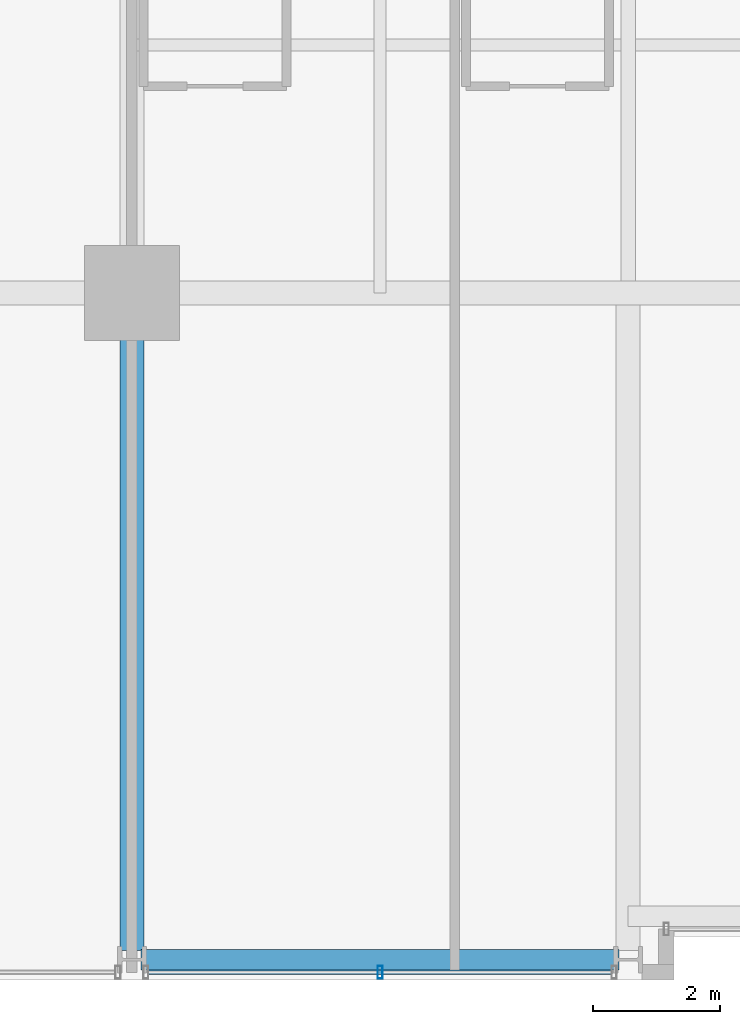
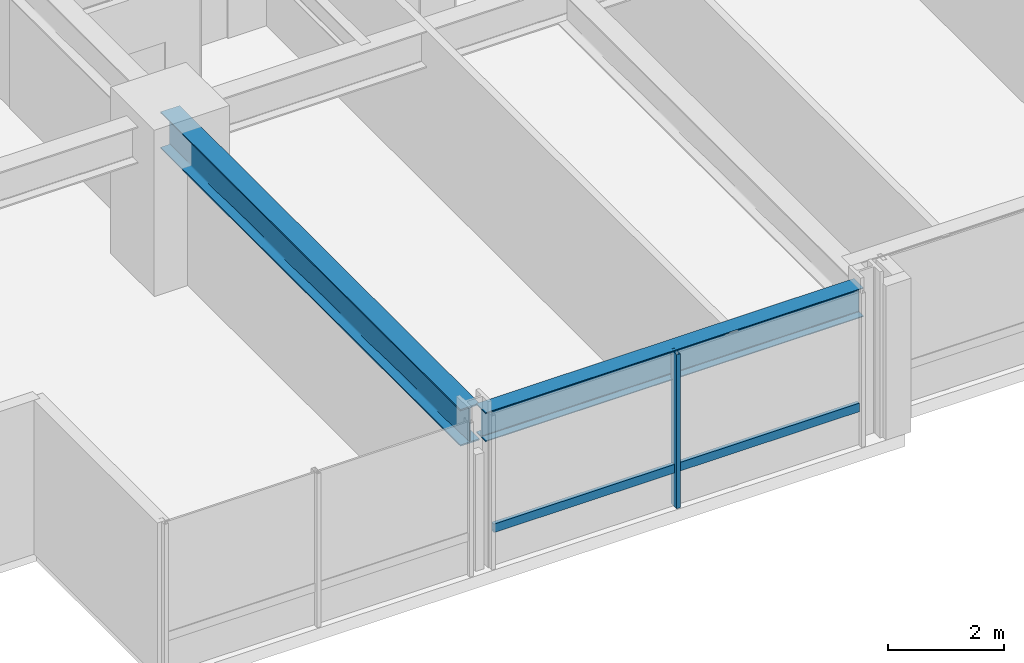
# One storey, part 3 of 35: 2 beams, 2 members, 1 element without a shape of its own.
"""IFC4 building model written with IfcOpenShell, lengths in metres."""

from ifc_helpers import new_model, si_unit, direction, frame, origin, origin_2d, place, context, subcontext, project, spatial, hollow_rectangle, i_section, extrude, material, layer, layer_set, material_profile, profile_set, type_object, element, aggregate, save


model = new_model("IFC4")

# Units and contexts
model_context = context("Model", 3, precision=1e-05, world=origin(), true_north=direction((0.0, 1.0)))
body_context = subcontext(model_context, "Body", "Model", "MODEL_VIEW")
ifc_project = project(units=[si_unit("LENGTHUNIT", "METRE"), si_unit("AREAUNIT", "SQUARE_METRE"), si_unit("VOLUMEUNIT", "CUBIC_METRE"), si_unit("PLANEANGLEUNIT", "RADIAN"), si_unit("MASSUNIT", "GRAM", prefix="KILO")], contexts=[model_context])

# Site, building, storey
site_placement = place(None, origin())
site = spatial("IfcSite", under=ifc_project, at=site_placement, CompositionType="ELEMENT")
building_placement = place(site_placement, origin())
building = spatial("IfcBuilding", under=site, at=building_placement, Name="Drelvath Grand Hotel", CompositionType="ELEMENT")
storey_placement = place(building_placement, frame((0.0, 0.0, 98.800048828125)))
storey = spatial("IfcBuildingStorey", under=building, at=storey_placement, Name="L24", CompositionType="ELEMENT", Elevation=98.800048828125)

# Curtain wall, members
ifc_material_1 = material(Name="Champagne Bronze Anodised Aluminium Frame", Category="aluminium")
ifc_layer = layer(ifc_material_1, 0.199951171875)
ifc_layer_set = layer_set([ifc_layer], Name="Champagne Bronze Anodised Aluminium Frame")
curtain_wall_type = type_object("IfcCurtainWallType", Name="Stick Curtain Wall CW-03 Champagne Bronze Mid-Rise", PredefinedType="NOTDEFINED", material=ifc_layer_set)
curtain_wall_placement = place(storey_placement, origin())
curtain_wall = element("IfcCurtainWall", 1, at=curtain_wall_placement, inside=storey, type_object=curtain_wall_type, Name="L24 CW-03 Curtain Wall CW03-L24-SW2", PredefinedType="NOTDEFINED")
ifc_material_profile_1 = material_profile(ifc_material_1, hollow_rectangle(XDim=0.074951171875, YDim=0.179931640625, WallThickness=0.0048828125, at=origin_2d()), Name="HSS180X75X5")
ifc_profile_set_1 = profile_set([ifc_material_profile_1], Name="Champagne Bronze Anodised Aluminium Frame")
member_type_1 = type_object("IfcMemberType", Name="Curtain Wall Horizontal Transom CW-03 HSS180X75X5", PredefinedType="USERDEFINED", material=ifc_profile_set_1)
member_1_placement = place(storey_placement, frame((-8.65966796875, 0.1201171875, 0.81005859375), z_axis=(-1.0, 0.0, 0.0), x_axis=(0.0, -1.0, 0.0)))
member_1 = element("IfcMember", 2, at=member_1_placement, type_object=member_type_1, Name="CW03-L24-SW2 Sill Transom", ObjectType="TRANSOM", PredefinedType="USERDEFINED", context=body_context, shape_type="SweptSolid", body=[
    extrude(hollow_rectangle(XDim=0.074951171875, YDim=0.179931640625, WallThickness=0.0048828125, at=origin_2d()), origin(), (0.0, 0.0, 1.0), 7.28076171875),
])
ifc_material_profile_2 = material_profile(ifc_material_1, hollow_rectangle(XDim=0.080078125, YDim=0.199951171875, WallThickness=0.0048828125, at=origin_2d()), Name="HSS200X80X5")
ifc_profile_set_2 = profile_set([ifc_material_profile_2], Name="Champagne Bronze Anodised Aluminium Frame")
member_type_2 = type_object("IfcMemberType", Name="Curtain Wall Vertical Mullion CW-03 HSS200X80X5", PredefinedType="MULLION", material=ifc_profile_set_2)
member_2_placement = place(storey_placement, frame((-12.300048828125, 0.1201171875, 0.0), z_axis=(0.0, 0.0, 1.0), x_axis=(1.0, 0.0, 0.0)))
member_2 = element("IfcMember", 3, at=member_2_placement, type_object=member_type_2, Name="CW03-L24-SW2 Mullion 2", PredefinedType="MULLION", context=body_context, shape_type="SweptSolid", body=[
    extrude(hollow_rectangle(XDim=0.080078125, YDim=0.199951171875, WallThickness=0.0048828125, at=origin_2d()), origin(), (0.0, 0.0, 1.0), 3.239990234375),
])
aggregate(curtain_wall, [member_2, member_1])

# Beams
ifc_material_2 = material(Name="Steel ASTM A992 Gr 50", Category="steel")
ifc_material_profile_3 = material_profile(ifc_material_2, i_section(OverallWidth=0.323974609375, OverallDepth=0.611083984375, WebThickness=0.0126953125, FlangeThickness=0.01904296875, FilletRadius=0.02197265625, at=origin_2d()), Name="W24X104")
ifc_profile_set_3 = profile_set([ifc_material_profile_3], Name="Steel ASTM A992 Gr 50")
beam_type_1 = type_object("IfcBeamType", Name="Perimeter Spandrel Beam W24X104", PredefinedType="SPANDREL", material=ifc_profile_set_3)
beam_1_placement = place(storey_placement, frame((-16.06005859375, 0.320068359375, 2.9345703125), z_axis=(1.0, 0.0, 0.0), x_axis=(0.0, 1.0, 0.0)))
element("IfcBeam", 4, at=beam_1_placement, inside=storey, type_object=beam_type_1, Name="L24 Spandrel South W", PredefinedType="SPANDREL", context=body_context, shape_type="SweptSolid", body=[
    extrude(i_section(OverallWidth=0.323974609375, OverallDepth=0.611083984375, WebThickness=0.0126953125, FlangeThickness=0.01904296875, FilletRadius=0.02197265625, at=origin_2d()), origin(), (0.0, 0.0, 1.0), 7.52001953125),
])
ifc_material_profile_4 = material_profile(ifc_material_2, i_section(OverallWidth=0.380615234375, OverallDepth=0.773193359375, WebThickness=0.0166015625, FlangeThickness=0.027099609375, FilletRadius=0.02490234375, at=origin_2d()), Name="W30X173")
ifc_profile_set_4 = profile_set([ifc_material_profile_4], Name="Steel ASTM A992 Gr 50")
beam_type_2 = type_object("IfcBeamType", Name="Primary Floor Girder W30X173", PredefinedType="BEAM", material=ifc_profile_set_4)
beam_2_placement = place(storey_placement, frame((-16.199951171875, 0.4599609375, 2.853271484375), z_axis=(0.0, 1.0, 0.0), x_axis=(-1.0, 0.0, 0.0)))
element("IfcBeam", 5, at=beam_2_placement, inside=storey, type_object=beam_type_2, Name="L24 South Grid Girder 3", PredefinedType="BEAM", context=body_context, shape_type="SweptSolid", body=[
    extrude(i_section(OverallWidth=0.380615234375, OverallDepth=0.773193359375, WebThickness=0.0166015625, FlangeThickness=0.027099609375, FilletRadius=0.02490234375, at=origin_2d()), origin(), (0.0, 0.0, 1.0), 10.340087890625),
])

save(model, "model.ifc")
